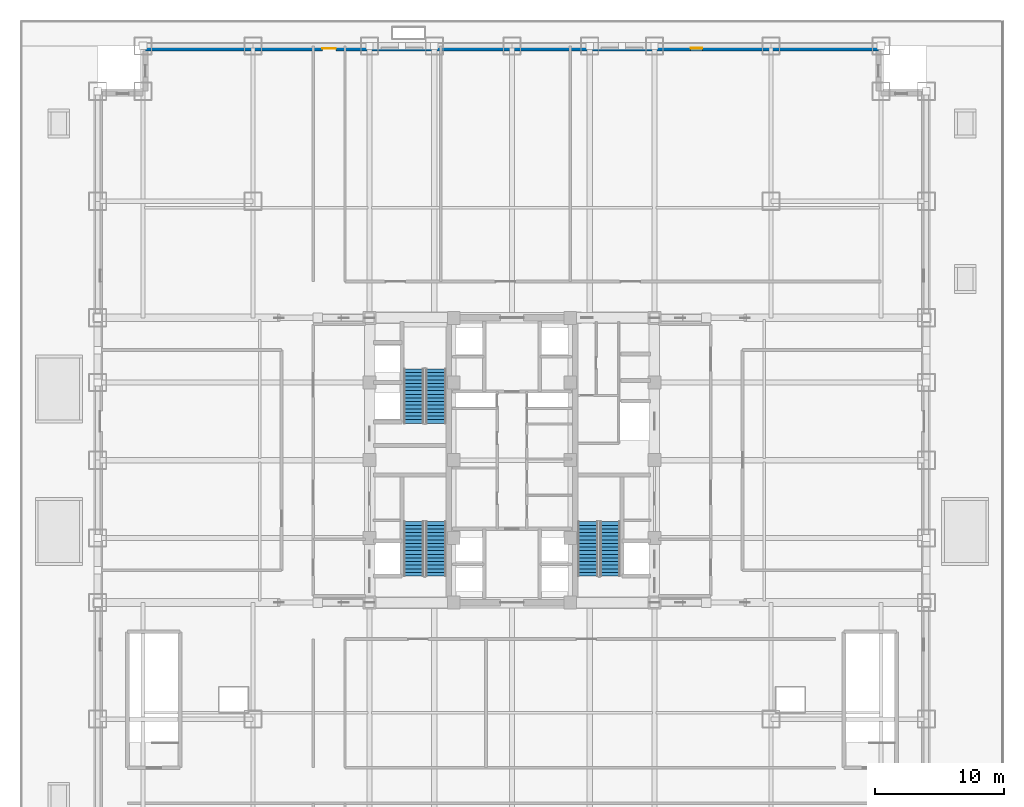
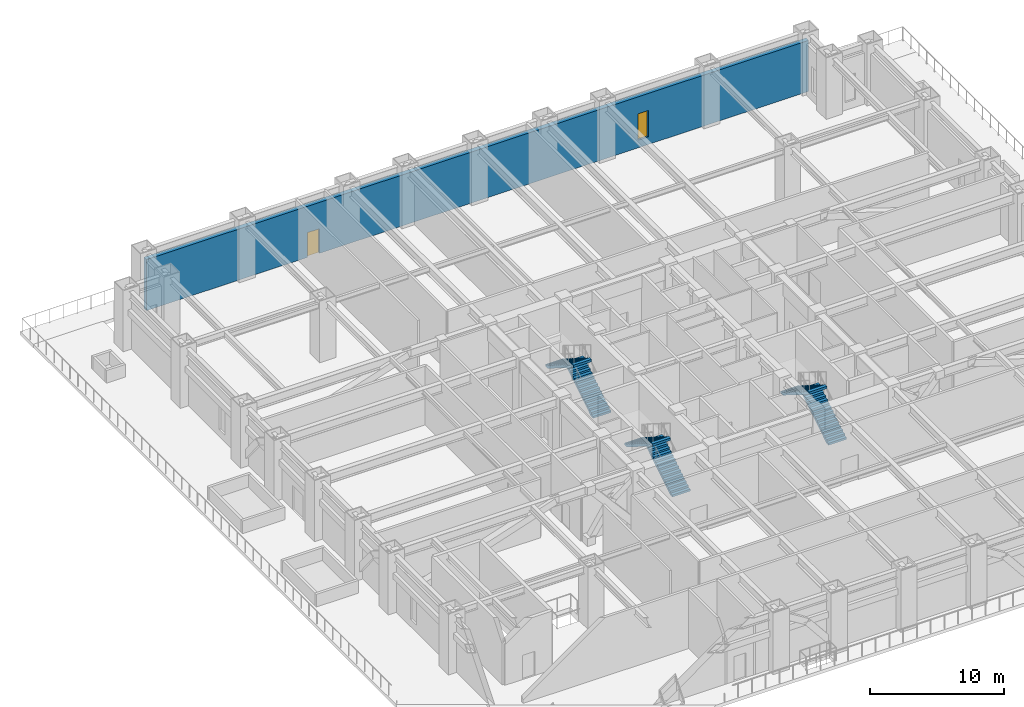
# One storey, part 16 of 21: 6 stair flights, 1 door, 1 wall, 1 window, 2 openings, 3 elements without a shape of their own.
"""IFC4 building model written with IfcOpenShell, lengths in metres."""

from ifc_helpers import new_model, si_unit, direction, frame, frame_2d, origin, place, context, subcontext, project, spatial, polyline, rectangle, outline, extrude, source, transform, mapped, material, layer, layer_set, type_object, element, fill, aggregate, save


model = new_model("IFC4")

# Units and contexts
model_context = context("Model", 3, precision=1e-05, world=origin(), true_north=direction((0.0, 1.0)))
body_context = subcontext(model_context, "Body", "Model", "MODEL_VIEW")
ifc_project = project(units=[si_unit("LENGTHUNIT", "METRE"), si_unit("AREAUNIT", "SQUARE_METRE"), si_unit("VOLUMEUNIT", "CUBIC_METRE"), si_unit("PLANEANGLEUNIT", "RADIAN"), si_unit("MASSUNIT", "GRAM", prefix="KILO")], contexts=[model_context])

# Site, building, storey
site_placement = place(None, origin())
site = spatial("IfcSite", under=ifc_project, at=site_placement, CompositionType="ELEMENT")
building_placement = place(site_placement, origin())
building = spatial("IfcBuilding", under=site, at=building_placement, Name="Khorayat Bourse Tower", CompositionType="ELEMENT")
storey_placement = place(building_placement, frame((0.0, 0.0, 27.0)))
storey = spatial("IfcBuildingStorey", under=building, at=storey_placement, Name="L05", CompositionType="ELEMENT", Elevation=27.0)

# Wall, openings, door, window
ifc_material_1 = material(Name="Precast concrete C45/55", Category="concrete")
ifc_layer = layer(ifc_material_1, 0.3798828125)
ifc_layer_set = layer_set([ifc_layer], Name="Precast concrete C45/55")
wall_type = type_object("IfcWallType", Name="WAL-EXT-STONE-380", PredefinedType="STANDARD", material=ifc_layer_set)
shared_shape_1 = source(origin(), body_context, "Body", "SweptSolid", [
    extrude(rectangle(XDim=57.0, YDim=0.3798828125, at=frame_2d((28.5, 0.0))), origin(), (0.0, 0.0, 1.0), 4.64501953125),
])
wall_placement = place(storey_placement, frame((-28.5, 31.81005859375, 0.0), z_axis=(0.0, 0.0, 1.0), x_axis=(1.0, 0.0, 0.0)))
wall = element("IfcWall", 1, at=wall_placement, inside=storey, type_object=wall_type, Name="L05 Plant Perimeter Wall N", PredefinedType="STANDARD", context=body_context, shape_type="MappedRepresentation", body=[
    mapped(shared_shape_1, transform((0.0, 0.0, 0.0), scale=1.0)),
])
shared_shape_2 = source(origin(), body_context, "Body", "SweptSolid", [
    extrude(rectangle(XDim=1.050048828125, YDim=2.25, at=frame_2d((0.52490234375, 1.125))), frame((0.0, 0.199951171875, 0.0), z_axis=(0.0, -1.0, 0.0), x_axis=(1.0, 0.0, 0.0)), (0.0, 0.0, 1.0), 0.39990234375),
])
opening_1_placement = place(wall_placement, frame((13.85009765625, 0.0, 0.0)))
opening_1 = element("IfcOpeningElement", 2, at=opening_1_placement, cuts=wall, Name="Opening DE-05", PredefinedType="OPENING", context=body_context, shape_type="MappedRepresentation", body=[
    mapped(shared_shape_2, transform((0.0, 0.0, 0.0), scale=1.0)),
])
shared_shape_3 = source(origin(), body_context, "Body", "SweptSolid", [
    extrude(rectangle(XDim=0.89990234375, YDim=2.39990234375, at=frame_2d((0.449951171875, 1.199951171875))), frame((0.0, 0.199951171875, 0.0), z_axis=(0.0, -1.0, 0.0), x_axis=(1.0, 0.0, 0.0)), (0.0, 0.0, 1.0), 0.39990234375),
])
opening_2_placement = place(wall_placement, frame((42.300048828125, 0.0, 0.699951171875)))
opening_2 = element("IfcOpeningElement", 3, at=opening_2_placement, cuts=wall, Name="Opening WN-03", PredefinedType="OPENING", context=body_context, shape_type="MappedRepresentation", body=[
    mapped(shared_shape_3, transform((0.0, 0.0, 0.0), scale=1.0)),
])
ifc_material_2 = material(Name="Thermally broken aluminium terrace door", Category="aluminium")
door_type = type_object("IfcDoorType", Name="DR-EXT-TERR-1050", OperationType="NOTDEFINED", PredefinedType="DOOR", material=ifc_material_2)
shared_shape_4 = source(origin(), body_context, "Body", "SweptSolid", [
    extrude(rectangle(XDim=1.050048828125, YDim=2.25, at=frame_2d((0.52490234375, 1.125))), frame((0.0, 0.02490234375, 0.0), z_axis=(0.0, -1.0, 0.0), x_axis=(1.0, 0.0, 0.0)), (0.0, 0.0, 1.0), 0.050048828125),
])
door_placement = place(opening_1_placement, origin())
door = element("IfcDoor", 4, at=door_placement, inside=storey, type_object=door_type, Name="L05 North Roof Garden Door", OperationType="SINGLE_SWING_RIGHT", OverallHeight=2.25, OverallWidth=1.050048828125, PredefinedType="DOOR", context=body_context, shape_type="MappedRepresentation", body=[
    mapped(shared_shape_4, transform((0.0, 0.0, 0.0), scale=1.0)),
])
fill(opening_1, door)
ifc_material_3 = material(Name="Deep-reveal solar-control double glazing", Category="glass")
window_type = type_object("IfcWindowType", Name="WIN-SLOT-900x2400", PartitioningType="SINGLE_PANEL", PredefinedType="WINDOW", material=ifc_material_3)
shared_shape_5 = source(origin(), body_context, "Body", "SweptSolid", [
    extrude(rectangle(XDim=0.89990234375, YDim=2.39990234375, at=frame_2d((0.449951171875, 1.199951171875))), frame((0.0, 0.030029296875, 0.0), z_axis=(0.0, -1.0, 0.0), x_axis=(1.0, 0.0, 0.0)), (0.0, 0.0, 1.0), 0.06005859375),
])
window_placement = place(opening_2_placement, origin())
window = element("IfcWindow", 5, at=window_placement, inside=storey, type_object=window_type, Name="L05 Facade Window 3", OverallHeight=2.39990234375, OverallWidth=0.89990234375, PartitioningType="SINGLE_PANEL", PredefinedType="WINDOW", context=body_context, shape_type="MappedRepresentation", body=[
    mapped(shared_shape_5, transform((0.0, 0.0, 0.0), scale=1.0)),
])
fill(opening_2, window)

# Stair, stair flights
ifc_material_4 = material(Name="Concrete C40/50", Category="concrete")
stair_type = type_object("IfcStairType", Name="STR-CORE-1550", PredefinedType="HALF_TURN_STAIR", material=ifc_material_4)
stair_1_placement = place(storey_placement, origin())
stair_1 = element("IfcStair", 6, at=stair_1_placement, inside=storey, type_object=stair_type, Name="L05 Exit Stair ST-1", PredefinedType="HALF_TURN_STAIR")
stair_flight_type = type_object("IfcStairFlightType", Name="FLT-CORE-1550", PredefinedType="STRAIGHT", material=ifc_material_4)
shared_shape_6 = source(origin(), body_context, "Body", "SweptSolid", [
    extrude(outline(polyline([(0.0, 0.0), (0.0, 0.175048828125), (0.280029296875, 0.175048828125), (0.280029296875, 0.35009765625), (0.56005859375, 0.35009765625), (0.56005859375, 0.52490234375), (0.840087890625, 0.52490234375), (0.840087890625, 0.699951171875), (1.1201171875, 0.699951171875), (1.1201171875, 0.875), (1.39990234375, 0.875), (1.39990234375, 1.050048828125), (1.679931640625, 1.050048828125), (1.679931640625, 1.22509765625), (1.9599609375, 1.22509765625), (1.9599609375, 1.39990234375), (2.239990234375, 1.39990234375), (2.239990234375, 1.574951171875), (2.52001953125, 1.574951171875), (2.52001953125, 1.75), (2.800048828125, 1.75), (2.800048828125, 1.925048828125), (3.080078125, 1.925048828125), (3.080078125, 2.10009765625), (3.360107421875, 2.10009765625), (3.360107421875, 2.27490234375), (3.639892578125, 2.27490234375), (3.639892578125, 2.449951171875), (3.919921875, 2.449951171875), (3.919921875, 2.625), (4.199951171875, 2.625), (4.199951171875, 2.800048828125), (4.199951171875, 2.412841796875), (0.339599609375, 0.0), (0.0, 0.0)])), frame((0.0, 0.77490234375, 0.0), z_axis=(0.0, -1.0, 0.0), x_axis=(1.0, 0.0, 0.0)), (0.0, 0.0, 1.0), 1.550048828125),
])
stair_flight_1_placement = place(storey_placement, frame((-5.875, -8.949951171875, 0.0), z_axis=(0.0, 0.0, 1.0), x_axis=(0.0, 1.0, 0.0)))
stair_flight_1 = element("IfcStairFlight", 7, at=stair_flight_1_placement, type_object=stair_flight_type, Name="ST-1 flight 1", NumberOfRisers=16, NumberOfTreads=15, PredefinedType="STRAIGHT", RiserHeight=0.175, TreadLength=0.28, context=body_context, shape_type="MappedRepresentation", body=[
    mapped(shared_shape_6, transform((0.0, 0.0, 0.0), scale=1.0)),
])
stair_flight_2_placement = place(storey_placement, frame((-7.574951171875, -4.75, 2.800048828125), z_axis=(0.0, 0.0, 1.0), x_axis=(0.0, -1.0, 0.0)))
stair_flight_2 = element("IfcStairFlight", 8, at=stair_flight_2_placement, type_object=stair_flight_type, Name="ST-1 flight 2", NumberOfRisers=16, NumberOfTreads=15, PredefinedType="STRAIGHT", RiserHeight=0.175, TreadLength=0.28, context=body_context, shape_type="MappedRepresentation", body=[
    mapped(shared_shape_6, transform((0.0, 0.0, 0.0), scale=1.0)),
])
aggregate(stair_1, [stair_flight_1, stair_flight_2])

stair_2_placement = place(storey_placement, origin())
stair_2 = element("IfcStair", 9, at=stair_2_placement, inside=storey, type_object=stair_type, Name="L05 Exit Stair ST-2", PredefinedType="HALF_TURN_STAIR")
stair_flight_3_placement = place(storey_placement, frame((-5.875, 2.85009765625, 0.0), z_axis=(0.0, 0.0, 1.0), x_axis=(0.0, 1.0, 0.0)))
stair_flight_3 = element("IfcStairFlight", 10, at=stair_flight_3_placement, type_object=stair_flight_type, Name="ST-2 flight 1", NumberOfRisers=16, NumberOfTreads=15, PredefinedType="STRAIGHT", RiserHeight=0.175, TreadLength=0.28, context=body_context, shape_type="MappedRepresentation", body=[
    mapped(shared_shape_6, transform((0.0, 0.0, 0.0), scale=1.0)),
])
stair_flight_4_placement = place(storey_placement, frame((-7.574951171875, 7.050048828125, 2.800048828125), z_axis=(0.0, 0.0, 1.0), x_axis=(0.0, -1.0, 0.0)))
stair_flight_4 = element("IfcStairFlight", 11, at=stair_flight_4_placement, type_object=stair_flight_type, Name="ST-2 flight 2", NumberOfRisers=16, NumberOfTreads=15, PredefinedType="STRAIGHT", RiserHeight=0.175, TreadLength=0.28, context=body_context, shape_type="MappedRepresentation", body=[
    mapped(shared_shape_6, transform((0.0, 0.0, 0.0), scale=1.0)),
])
aggregate(stair_2, [stair_flight_3, stair_flight_4])

stair_3_placement = place(storey_placement, origin())
stair_3 = element("IfcStair", 12, at=stair_3_placement, inside=storey, type_object=stair_type, Name="L05 Exit Stair ST-3", PredefinedType="HALF_TURN_STAIR")
stair_flight_5_placement = place(storey_placement, frame((7.574951171875, -8.949951171875, 0.0), z_axis=(0.0, 0.0, 1.0), x_axis=(0.0, 1.0, 0.0)))
stair_flight_5 = element("IfcStairFlight", 13, at=stair_flight_5_placement, type_object=stair_flight_type, Name="ST-3 flight 1", NumberOfRisers=16, NumberOfTreads=15, PredefinedType="STRAIGHT", RiserHeight=0.175, TreadLength=0.28, context=body_context, shape_type="MappedRepresentation", body=[
    mapped(shared_shape_6, transform((0.0, 0.0, 0.0), scale=1.0)),
])
stair_flight_6_placement = place(storey_placement, frame((5.875, -4.75, 2.800048828125), z_axis=(0.0, 0.0, 1.0), x_axis=(0.0, -1.0, 0.0)))
stair_flight_6 = element("IfcStairFlight", 14, at=stair_flight_6_placement, type_object=stair_flight_type, Name="ST-3 flight 2", NumberOfRisers=16, NumberOfTreads=15, PredefinedType="STRAIGHT", RiserHeight=0.175, TreadLength=0.28, context=body_context, shape_type="MappedRepresentation", body=[
    mapped(shared_shape_6, transform((0.0, 0.0, 0.0), scale=1.0)),
])
aggregate(stair_3, [stair_flight_5, stair_flight_6])

save(model, "model.ifc")
